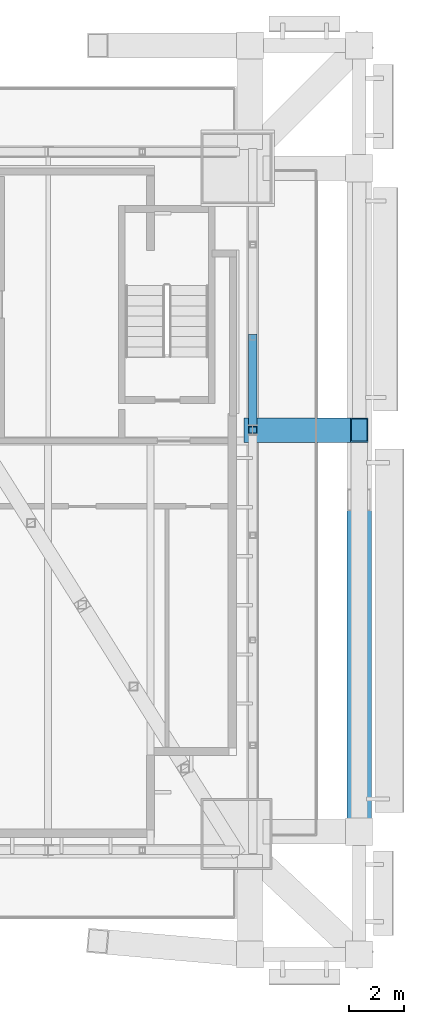
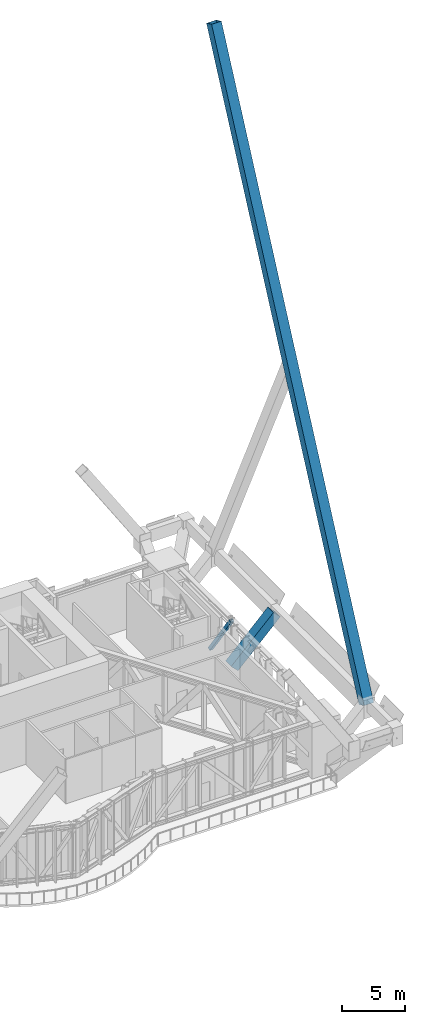
# One storey, part 15 of 31: 3 members.
"""IFC4 building model written with IfcOpenShell, lengths in metres."""

from ifc_helpers import new_model, si_unit, direction, frame, origin, origin_2d, place, context, subcontext, project, spatial, hollow_rectangle, extrude, material, material_profile, profile_set, type_object, element, save


model = new_model("IFC4")

# Units and contexts
model_context = context("Model", 3, precision=1e-05, world=origin(), true_north=direction((0.0, 1.0)))
body_context = subcontext(model_context, "Body", "Model", "MODEL_VIEW")
ifc_project = project(units=[si_unit("LENGTHUNIT", "METRE"), si_unit("AREAUNIT", "SQUARE_METRE"), si_unit("VOLUMEUNIT", "CUBIC_METRE"), si_unit("PLANEANGLEUNIT", "RADIAN"), si_unit("MASSUNIT", "GRAM", prefix="KILO")], contexts=[model_context])

# Site, building, storey
site_placement = place(None, origin())
site = spatial("IfcSite", under=ifc_project, at=site_placement, CompositionType="ELEMENT")
building_placement = place(site_placement, origin())
building = spatial("IfcBuilding", under=site, at=building_placement, Name="Bicima Exchange Tower", CompositionType="ELEMENT")
storey_placement = place(building_placement, frame((0.0, 0.0, 236.0)))
storey = spatial("IfcBuildingStorey", under=building, at=storey_placement, Name="L53", CompositionType="ELEMENT", Elevation=236.0)

# Members
ifc_material = material(Name="Steel ASTM A572 Gr 50", Category="steel")
ifc_material_profile_1 = material_profile(ifc_material, hollow_rectangle(XDim=0.3046875, YDim=0.3046875, WallThickness=0.01171875, at=origin_2d()))
ifc_profile_set_1 = profile_set([ifc_material_profile_1], Name="Steel ASTM A572 Gr 50")
member_type_1 = type_object("IfcMemberType", Name="Belt truss diagonal HSS12x12x1/2", PredefinedType="STRUT", material=ifc_profile_set_1)
member_1_placement = place(storey_placement, frame((33.60009765625, -9.199951171875, 0.227294921875), z_axis=(0.0, -0.578402146369, 0.815751774179), x_axis=(1.0, 0.0, 0.0)))
element("IfcMember", 1, at=member_1_placement, inside=storey, type_object=member_type_1, Name="Truss diagonal", PredefinedType="STRUT", context=body_context, shape_type="SweptSolid", body=[
    extrude(hollow_rectangle(XDim=0.3046875, YDim=0.3046875, WallThickness=0.01171875, at=origin_2d()), origin(), (0.0, 0.0, 1.0), 5.87841796875),
])
ifc_material_profile_2 = material_profile(ifc_material, hollow_rectangle(XDim=0.89990234375, YDim=0.89990234375, WallThickness=0.050048828125, at=origin_2d()))
ifc_profile_set_2 = profile_set([ifc_material_profile_2], Name="Steel ASTM A572 Gr 50")
member_type_2 = type_object("IfcMemberType", Name="Exo mega brace BOX 900x900x50", PredefinedType="BRACE", material=ifc_profile_set_2)
member_2_placement = place(storey_placement, frame((37.5, -27.32861328125, 4.5), z_axis=(0.0, 0.426460147734, 0.904506352877), x_axis=(-1.0, 0.0, 0.0)))
element("IfcMember", 2, at=member_2_placement, inside=storey, type_object=member_type_2, Name="Exo mega brace end", PredefinedType="BRACE", context=body_context, shape_type="SweptSolid", body=[
    extrude(hollow_rectangle(XDim=0.89990234375, YDim=0.89990234375, WallThickness=0.050048828125, at=origin_2d()), origin(), (0.0, 0.0, 1.0), 57.0478515625),
])
member_type_3 = type_object("IfcMemberType", Name="Exo outrigger stub BOX 900x900x50", PredefinedType="STRUT", material=ifc_profile_set_2)
member_3_placement = place(storey_placement, frame((33.60009765625, -12.60009765625, 0.60009765625), z_axis=(0.707106781187, 0.0, 0.707106781187), x_axis=(0.0, 1.0, 0.0)))
element("IfcMember", 3, at=member_3_placement, inside=storey, type_object=member_type_3, Name="Exo outrigger stub", PredefinedType="STRUT", context=body_context, shape_type="SweptSolid", body=[
    extrude(hollow_rectangle(XDim=0.89990234375, YDim=0.89990234375, WallThickness=0.050048828125, at=origin_2d()), origin(), (0.0, 0.0, 1.0), 5.515380859375),
])

save(model, "model.ifc")
